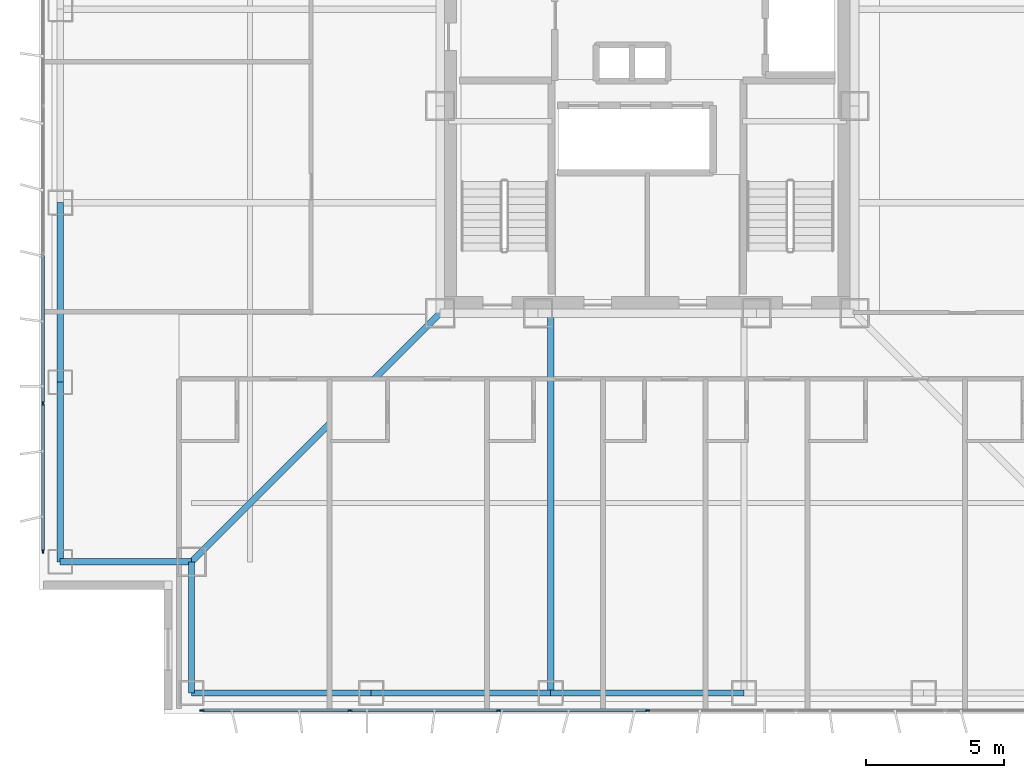
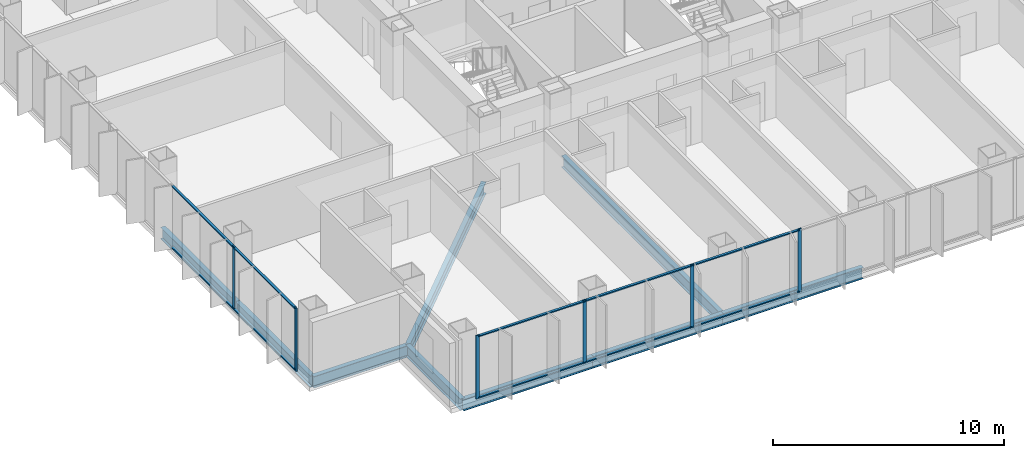
# One storey, part 2 of 18: 16 members, 9 beams, 2 elements without a shape of their own.
"""IFC4 building model written with IfcOpenShell, lengths in metres."""

from ifc_helpers import new_model, si_unit, direction, frame, origin, origin_2d, place, context, subcontext, project, spatial, rectangle, i_section, extrude, material, layer, layer_set, material_profile, profile_set, type_object, element, aggregate, save


model = new_model("IFC4")

# Units and contexts
model_context = context("Model", 3, precision=1e-05, world=origin(), true_north=direction((0.0, 1.0)))
body_context = subcontext(model_context, "Body", "Model", "MODEL_VIEW")
ifc_project = project(units=[si_unit("LENGTHUNIT", "METRE"), si_unit("AREAUNIT", "SQUARE_METRE"), si_unit("VOLUMEUNIT", "CUBIC_METRE"), si_unit("PLANEANGLEUNIT", "RADIAN"), si_unit("MASSUNIT", "GRAM", prefix="KILO")], contexts=[model_context])

# Site, building, storey
site_placement = place(None, origin())
site = spatial("IfcSite", under=ifc_project, at=site_placement, CompositionType="ELEMENT")
building_placement = place(site_placement, origin())
building = spatial("IfcBuilding", under=site, at=building_placement, Name="Trevonay Congress Spire", CompositionType="ELEMENT")
storey_placement = place(building_placement, frame((0.0, 0.0, 148.0)))
storey = spatial("IfcBuildingStorey", under=building, at=storey_placement, Name="L38", CompositionType="ELEMENT", Elevation=148.0)

# Beams
ifc_material_1 = material(Name="Steel ASTM A572 Grade 50", Category="steel")
ifc_material_profile_1 = material_profile(ifc_material_1, i_section(OverallWidth=0.22998046875, OverallDepth=0.616943359375, WebThickness=0.01318359375, FlangeThickness=0.022216796875, FilletRadius=0.01611328125, at=origin_2d()), Name="W610x140")
ifc_profile_set_1 = profile_set([ifc_material_profile_1], Name="Steel ASTM A572 Grade 50")
beam_type_1 = type_object("IfcBeamType", Name="BM-GIRD-W610X140", PredefinedType="BEAM", material=ifc_profile_set_1)
beam_1_placement = place(storey_placement, frame((-7.5, -7.5, -0.548583984375), z_axis=(-0.707106781187, -0.707106781187, 0.0), x_axis=(0.707106781187, -0.707106781187, 0.0)))
element("IfcBeam", 1, at=beam_1_placement, inside=storey, type_object=beam_type_1, Name="L38 structural beam BM-L38-CDSW", PredefinedType="BEAM", context=body_context, shape_type="SweptSolid", body=[
    extrude(i_section(OverallWidth=0.22998046875, OverallDepth=0.616943359375, WebThickness=0.01318359375, FlangeThickness=0.022216796875, FilletRadius=0.01611328125, at=origin_2d()), origin(), (0.0, 0.0, 1.0), 12.72802734375),
])
beam_2_placement = place(storey_placement, frame((-3.5, -7.5, -0.548583984375), z_axis=(0.0, -1.0, 0.0), x_axis=(1.0, 0.0, 0.0)))
element("IfcBeam", 2, at=beam_2_placement, inside=storey, type_object=beam_type_1, Name="L38 structural beam BM-L38-GS-M", PredefinedType="BEAM", context=body_context, shape_type="SweptSolid", body=[
    extrude(i_section(OverallWidth=0.22998046875, OverallDepth=0.616943359375, WebThickness=0.01318359375, FlangeThickness=0.022216796875, FilletRadius=0.01611328125, at=origin_2d()), origin(), (0.0, 0.0, 1.0), 13.75),
])
ifc_material_profile_2 = material_profile(ifc_material_1, i_section(OverallWidth=0.22802734375, OverallDepth=0.60791015625, WebThickness=0.01123046875, FlangeThickness=0.017333984375, FilletRadius=0.01611328125, at=origin_2d()), Name="W610x113")
ifc_profile_set_2 = profile_set([ifc_material_profile_2], Name="Steel ASTM A572 Grade 50")
beam_type_2 = type_object("IfcBeamType", Name="BM-RING-W610X113", PredefinedType="BEAM", material=ifc_profile_set_2)
for number, where, z_axis, x_axis, name in (
    (3, (-16.5, -21.25, -0.5439453125), (1.0, 0.0, 0.0), (0.0, 1.0, 0.0), "L38 structural beam BM-L38-PS1"),
    (4, (-21.25, -16.5, -0.5439453125), (0.0, 1.0, 0.0), (-1.0, 0.0, 0.0), "L38 structural beam BM-L38-PW1"),
    (5, (-10.0, -21.25, -0.5439453125), (1.0, 0.0, 0.0), (0.0, 1.0, 0.0), "L38 structural beam BM-L38-PS2"),
    (6, (-21.25, -10.0, -0.5439453125), (0.0, 1.0, 0.0), (-1.0, 0.0, 0.0), "L38 structural beam BM-L38-PW2"),
):
    element("IfcBeam", number, at=place(storey_placement, frame(where, z_axis=z_axis, x_axis=x_axis)), inside=storey, type_object=beam_type_2, Name=name, PredefinedType="BEAM", context=body_context, shape_type="SweptSolid", body=[
        extrude(i_section(OverallWidth=0.22802734375, OverallDepth=0.60791015625, WebThickness=0.01123046875, FlangeThickness=0.017333984375, FilletRadius=0.01611328125, at=origin_2d()), origin(), (0.0, 0.0, 1.0), 6.5),
    ])
beam_3_placement = place(storey_placement, frame((-3.5, -21.25, -0.5439453125), z_axis=(1.0, 0.0, 0.0), x_axis=(0.0, 1.0, 0.0)))
element("IfcBeam", 7, at=beam_3_placement, inside=storey, type_object=beam_type_2, Name="L38 structural beam BM-L38-PS3", PredefinedType="BEAM", context=body_context, shape_type="SweptSolid", body=[
    extrude(i_section(OverallWidth=0.22802734375, OverallDepth=0.60791015625, WebThickness=0.01123046875, FlangeThickness=0.017333984375, FilletRadius=0.01611328125, at=origin_2d()), origin(), (0.0, 0.0, 1.0), 7.0),
])
for number, where, z_axis, x_axis, name in (
    (8, (-16.5, -21.25, -0.5439453125), (0.0, 1.0, 0.0), (-1.0, 0.0, 0.0), "L38 structural beam BM-L38-N1SW"),
    (9, (-21.25, -16.5, -0.5439453125), (1.0, 0.0, 0.0), (0.0, 1.0, 0.0), "L38 structural beam BM-L38-N2SW"),
):
    element("IfcBeam", number, at=place(storey_placement, frame(where, z_axis=z_axis, x_axis=x_axis)), inside=storey, type_object=beam_type_2, Name=name, PredefinedType="BEAM", context=body_context, shape_type="SweptSolid", body=[
        extrude(i_section(OverallWidth=0.22802734375, OverallDepth=0.60791015625, WebThickness=0.01123046875, FlangeThickness=0.017333984375, FilletRadius=0.01611328125, at=origin_2d()), origin(), (0.0, 0.0, 1.0), 4.75),
    ])

# Curtain wall, members
ifc_material_2 = material(Name="Pale Anodised Aluminium EN AW-6063-T6", Category="aluminium")
ifc_layer = layer(ifc_material_2, 0.175048828125, Name="Pale Anodised Aluminium EN AW-6063-T6")
ifc_layer_set = layer_set([ifc_layer], Name="Pale Anodised Aluminium EN AW-6063-T6")
curtain_wall_type = type_object("IfcCurtainWallType", Name="CW-SYS03-CONGRESS-PALE-METAL", PredefinedType="NOTDEFINED", material=ifc_layer_set)
curtain_wall_1_placement = place(storey_placement, origin())
curtain_wall_1 = element("IfcCurtainWall", 10, at=curtain_wall_1_placement, inside=storey, type_object=curtain_wall_type, Name="L38 S unitised curtain wall", PredefinedType="NOTDEFINED")
ifc_material_profile_3 = material_profile(ifc_material_2, rectangle(XDim=0.06005859375, YDim=0.159912109375, at=origin_2d()), Name="CW-MULLION-160-ALUMINIUM")
ifc_profile_set_3 = profile_set([ifc_material_profile_3], Name="Pale Anodised Aluminium EN AW-6063-T6")
member_type_1 = type_object("IfcMemberType", Name="CW-MULLION-160-ALUMINIUM", PredefinedType="MULLION", material=ifc_profile_set_3)
member_1_placement = place(storey_placement, frame((-16.1201171875, -21.8798828125, 0.0), z_axis=(0.0, 0.0, 1.0), x_axis=(0.0, 1.0, 0.0)))
member_1 = element("IfcMember", 11, at=member_1_placement, type_object=member_type_1, Name="CW03 mullion 1", PredefinedType="MULLION", context=body_context, shape_type="SweptSolid", body=[
    extrude(rectangle(XDim=0.06005859375, YDim=0.159912109375, at=origin_2d()), origin(), (0.0, 0.0, 1.0), 3.360107421875),
])
member_2_placement = place(storey_placement, frame((-10.7666015625, -21.8798828125, 0.0), z_axis=(0.0, 0.0, 1.0), x_axis=(0.0, 1.0, 0.0)))
member_2 = element("IfcMember", 12, at=member_2_placement, type_object=member_type_1, Name="CW03 mullion 2", PredefinedType="MULLION", context=body_context, shape_type="SweptSolid", body=[
    extrude(rectangle(XDim=0.06005859375, YDim=0.159912109375, at=origin_2d()), origin(), (0.0, 0.0, 1.0), 3.360107421875),
])
member_3_placement = place(storey_placement, frame((-5.38330078125, -21.8798828125, 0.0), z_axis=(0.0, 0.0, 1.0), x_axis=(0.0, 1.0, 0.0)))
member_3 = element("IfcMember", 13, at=member_3_placement, type_object=member_type_1, Name="CW03 mullion 3", PredefinedType="MULLION", context=body_context, shape_type="SweptSolid", body=[
    extrude(rectangle(XDim=0.06005859375, YDim=0.159912109375, at=origin_2d()), origin(), (0.0, 0.0, 1.0), 3.360107421875),
])
member_4_placement = place(storey_placement, frame((0.0, -21.8798828125, 0.0), z_axis=(0.0, 0.0, 1.0), x_axis=(0.0, 1.0, 0.0)))
member_4 = element("IfcMember", 14, at=member_4_placement, type_object=member_type_1, Name="CW03 mullion 4", PredefinedType="MULLION", context=body_context, shape_type="SweptSolid", body=[
    extrude(rectangle(XDim=0.06005859375, YDim=0.159912109375, at=origin_2d()), origin(), (0.0, 0.0, 1.0), 3.360107421875),
])

curtain_wall_2_placement = place(storey_placement, origin())
curtain_wall_2 = element("IfcCurtainWall", 15, at=curtain_wall_2_placement, inside=storey, type_object=curtain_wall_type, Name="L38 W unitised curtain wall", PredefinedType="NOTDEFINED")
member_5_placement = place(storey_placement, frame((-21.8798828125, -16.1201171875, 0.0), z_axis=(0.0, 0.0, 1.0), x_axis=(-1.0, 0.0, 0.0)))
member_5 = element("IfcMember", 16, at=member_5_placement, type_object=member_type_1, Name="CW03 mullion 1", PredefinedType="MULLION", context=body_context, shape_type="SweptSolid", body=[
    extrude(rectangle(XDim=0.06005859375, YDim=0.159912109375, at=origin_2d()), origin(), (0.0, 0.0, 1.0), 3.360107421875),
])
member_6_placement = place(storey_placement, frame((-21.8798828125, -10.7666015625, 0.0), z_axis=(0.0, 0.0, 1.0), x_axis=(-1.0, 0.0, 0.0)))
member_6 = element("IfcMember", 17, at=member_6_placement, type_object=member_type_1, Name="CW03 mullion 2", PredefinedType="MULLION", context=body_context, shape_type="SweptSolid", body=[
    extrude(rectangle(XDim=0.06005859375, YDim=0.159912109375, at=origin_2d()), origin(), (0.0, 0.0, 1.0), 3.360107421875),
])

# Member
ifc_material_profile_4 = material_profile(ifc_material_2, rectangle(XDim=0.1201171875, YDim=0.06005859375, at=origin_2d()), Name="CW-TRANSOM-120-ALUMINIUM")
ifc_profile_set_4 = profile_set([ifc_material_profile_4], Name="Pale Anodised Aluminium EN AW-6063-T6")
member_type_2 = type_object("IfcMemberType", Name="CW-TRANSOM-120-ALUMINIUM", PredefinedType="USERDEFINED", material=ifc_profile_set_4)
member_7_placement = place(storey_placement, frame((-16.090087890625, -21.8798828125, 0.06005859375), z_axis=(1.0, 0.0, 0.0), x_axis=(0.0, 1.0, 0.0)))
member_7 = element("IfcMember", 18, at=member_7_placement, type_object=member_type_2, Name="CW03 transom 1.1", ObjectType="TRANSOM", PredefinedType="USERDEFINED", context=body_context, shape_type="SweptSolid", body=[
    extrude(rectangle(XDim=0.1201171875, YDim=0.06005859375, at=origin_2d()), origin(), (0.0, 0.0, 1.0), 5.29345703125),
])

member_8_placement = place(storey_placement, frame((-16.090087890625, -21.8798828125, 3.300048828125), z_axis=(1.0, 0.0, 0.0), x_axis=(0.0, 1.0, 0.0)))
member_8 = element("IfcMember", 19, at=member_8_placement, type_object=member_type_2, Name="CW03 transom 1.2", ObjectType="TRANSOM", PredefinedType="USERDEFINED", context=body_context, shape_type="SweptSolid", body=[
    extrude(rectangle(XDim=0.1201171875, YDim=0.06005859375, at=origin_2d()), origin(), (0.0, 0.0, 1.0), 5.29345703125),
])

member_9_placement = place(storey_placement, frame((-10.736572265625, -21.8798828125, 0.06005859375), z_axis=(1.0, 0.0, 0.0), x_axis=(0.0, 1.0, 0.0)))
member_9 = element("IfcMember", 20, at=member_9_placement, type_object=member_type_2, Name="CW03 transom 2.1", ObjectType="TRANSOM", PredefinedType="USERDEFINED", context=body_context, shape_type="SweptSolid", body=[
    extrude(rectangle(XDim=0.1201171875, YDim=0.06005859375, at=origin_2d()), origin(), (0.0, 0.0, 1.0), 5.3232421875),
])

member_10_placement = place(storey_placement, frame((-10.736572265625, -21.8798828125, 3.300048828125), z_axis=(1.0, 0.0, 0.0), x_axis=(0.0, 1.0, 0.0)))
member_10 = element("IfcMember", 21, at=member_10_placement, type_object=member_type_2, Name="CW03 transom 2.2", ObjectType="TRANSOM", PredefinedType="USERDEFINED", context=body_context, shape_type="SweptSolid", body=[
    extrude(rectangle(XDim=0.1201171875, YDim=0.06005859375, at=origin_2d()), origin(), (0.0, 0.0, 1.0), 5.3232421875),
])

member_11_placement = place(storey_placement, frame((-5.353271484375, -21.8798828125, 0.06005859375), z_axis=(1.0, 0.0, 0.0), x_axis=(0.0, 1.0, 0.0)))
member_11 = element("IfcMember", 22, at=member_11_placement, type_object=member_type_2, Name="CW03 transom 3.1", ObjectType="TRANSOM", PredefinedType="USERDEFINED", context=body_context, shape_type="SweptSolid", body=[
    extrude(rectangle(XDim=0.1201171875, YDim=0.06005859375, at=origin_2d()), origin(), (0.0, 0.0, 1.0), 5.3232421875),
])

member_12_placement = place(storey_placement, frame((-5.353271484375, -21.8798828125, 3.300048828125), z_axis=(1.0, 0.0, 0.0), x_axis=(0.0, 1.0, 0.0)))
member_12 = element("IfcMember", 23, at=member_12_placement, type_object=member_type_2, Name="CW03 transom 3.2", ObjectType="TRANSOM", PredefinedType="USERDEFINED", context=body_context, shape_type="SweptSolid", body=[
    extrude(rectangle(XDim=0.1201171875, YDim=0.06005859375, at=origin_2d()), origin(), (0.0, 0.0, 1.0), 5.3232421875),
])

aggregate(curtain_wall_1, [member_1, member_2, member_3, member_4, member_7, member_8, member_9, member_10, member_11, member_12])

member_13_placement = place(storey_placement, frame((-21.8798828125, -16.090087890625, 0.06005859375), z_axis=(0.0, 1.0, 0.0), x_axis=(-1.0, 0.0, 0.0)))
member_13 = element("IfcMember", 24, at=member_13_placement, type_object=member_type_2, Name="CW03 transom 1.1", ObjectType="TRANSOM", PredefinedType="USERDEFINED", context=body_context, shape_type="SweptSolid", body=[
    extrude(rectangle(XDim=0.1201171875, YDim=0.06005859375, at=origin_2d()), origin(), (0.0, 0.0, 1.0), 5.29345703125),
])

member_14_placement = place(storey_placement, frame((-21.8798828125, -16.090087890625, 3.300048828125), z_axis=(0.0, 1.0, 0.0), x_axis=(-1.0, 0.0, 0.0)))
member_14 = element("IfcMember", 25, at=member_14_placement, type_object=member_type_2, Name="CW03 transom 1.2", ObjectType="TRANSOM", PredefinedType="USERDEFINED", context=body_context, shape_type="SweptSolid", body=[
    extrude(rectangle(XDim=0.1201171875, YDim=0.06005859375, at=origin_2d()), origin(), (0.0, 0.0, 1.0), 5.29345703125),
])

member_15_placement = place(storey_placement, frame((-21.8798828125, -10.736572265625, 0.06005859375), z_axis=(0.0, 1.0, 0.0), x_axis=(-1.0, 0.0, 0.0)))
member_15 = element("IfcMember", 26, at=member_15_placement, type_object=member_type_2, Name="CW03 transom 2.1", ObjectType="TRANSOM", PredefinedType="USERDEFINED", context=body_context, shape_type="SweptSolid", body=[
    extrude(rectangle(XDim=0.1201171875, YDim=0.06005859375, at=origin_2d()), origin(), (0.0, 0.0, 1.0), 5.3232421875),
])

member_16_placement = place(storey_placement, frame((-21.8798828125, -10.736572265625, 3.300048828125), z_axis=(0.0, 1.0, 0.0), x_axis=(-1.0, 0.0, 0.0)))
member_16 = element("IfcMember", 27, at=member_16_placement, type_object=member_type_2, Name="CW03 transom 2.2", ObjectType="TRANSOM", PredefinedType="USERDEFINED", context=body_context, shape_type="SweptSolid", body=[
    extrude(rectangle(XDim=0.1201171875, YDim=0.06005859375, at=origin_2d()), origin(), (0.0, 0.0, 1.0), 5.3232421875),
])

aggregate(curtain_wall_2, [member_5, member_6, member_13, member_14, member_15, member_16])

save(model, "model.ifc")
